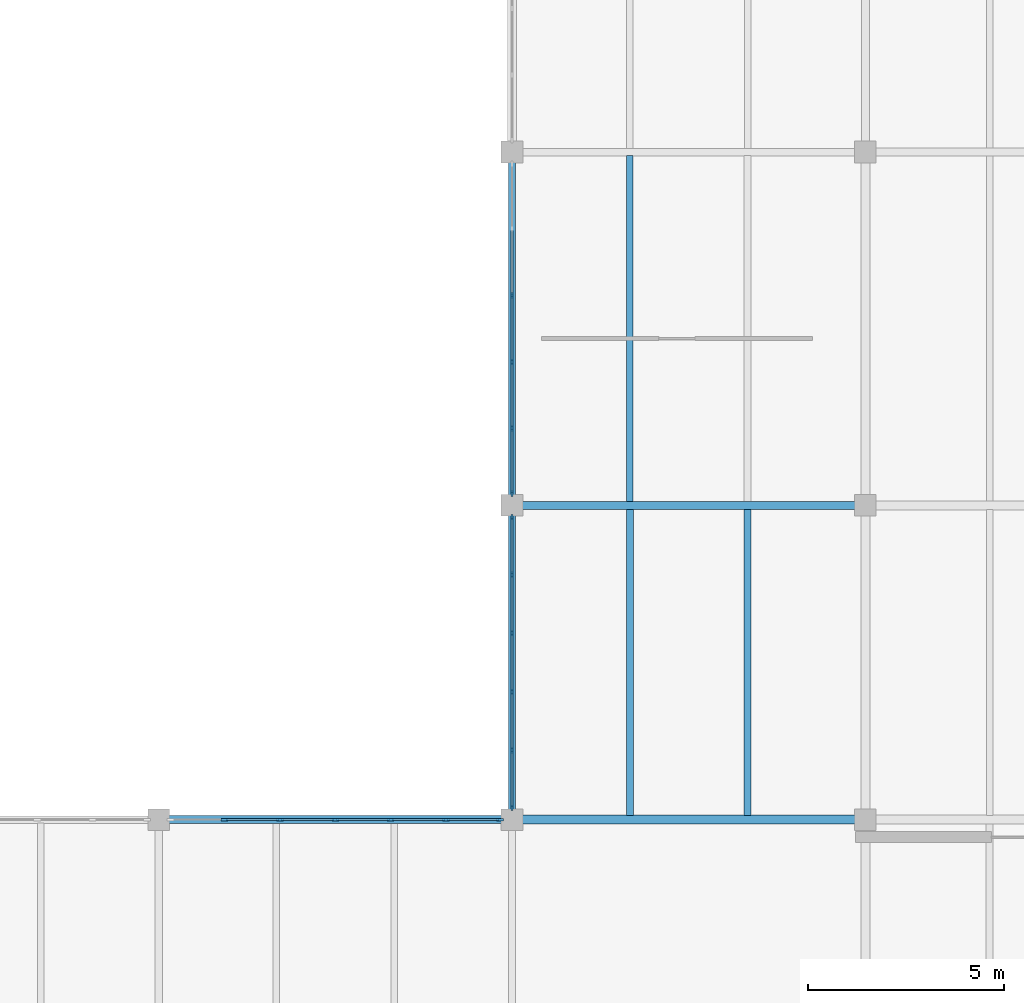
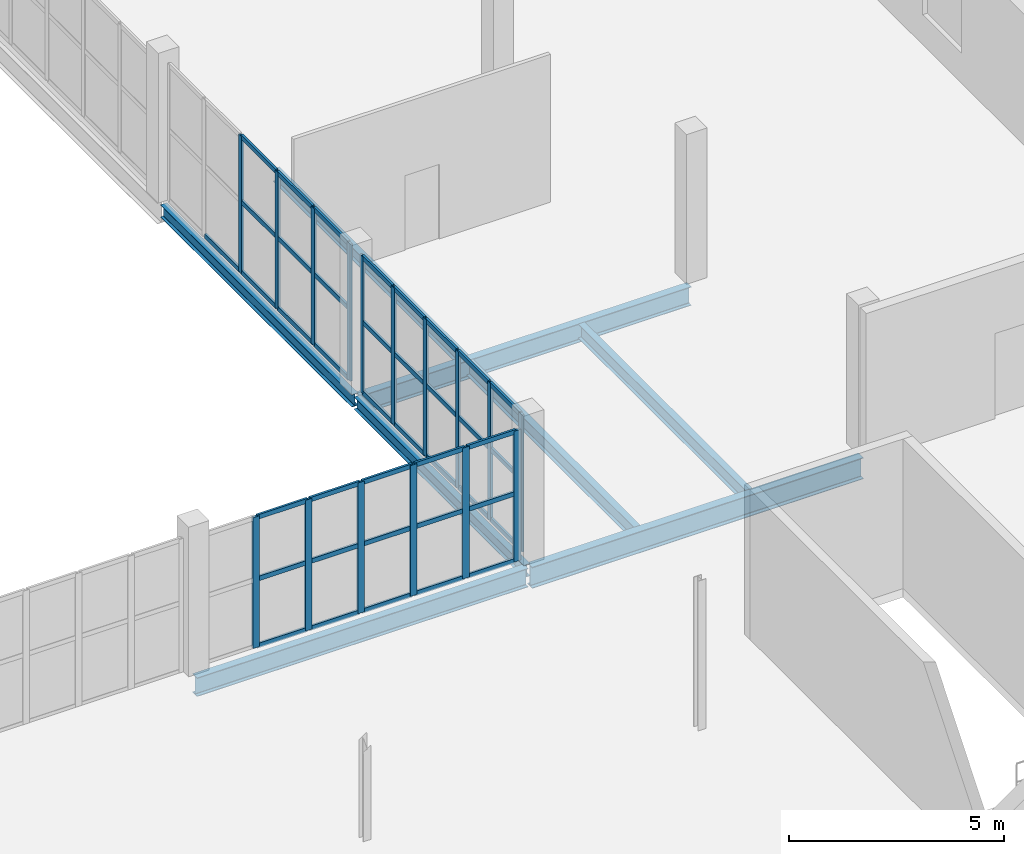
# One storey, part 28 of 54: 56 members, 8 beams, 3 elements without a shape of their own.
"""IFC4 building model written with IfcOpenShell, lengths in metres."""

from ifc_helpers import new_model, si_unit, direction, frame, origin, origin_2d, place, context, subcontext, project, spatial, rectangle, i_section, extrude, material, layer, layer_set, material_profile, profile_set, type_object, element, aggregate, save


model = new_model("IFC4")

# Units and contexts
model_context = context("Model", 3, precision=1e-05, world=origin(), true_north=direction((0.0, 1.0)))
body_context = subcontext(model_context, "Body", "Model", "MODEL_VIEW")
ifc_project = project(units=[si_unit("LENGTHUNIT", "METRE"), si_unit("AREAUNIT", "SQUARE_METRE"), si_unit("VOLUMEUNIT", "CUBIC_METRE"), si_unit("PLANEANGLEUNIT", "RADIAN"), si_unit("MASSUNIT", "GRAM", prefix="KILO")], contexts=[model_context])

# Site, building, storey
site_placement = place(None, origin())
site = spatial("IfcSite", under=ifc_project, at=site_placement, CompositionType="ELEMENT")
building_placement = place(site_placement, origin())
building = spatial("IfcBuilding", under=site, at=building_placement, Name="Marnock Terrace Opera House", CompositionType="ELEMENT")
storey_placement = place(building_placement, frame((0.0, 0.0, 19.199951171875)))
storey = spatial("IfcBuildingStorey", under=building, at=storey_placement, Name="L04", CompositionType="ELEMENT", Elevation=19.199951171875)

# Beams
ifc_material_1 = material(Name="Steel Grade 350 (AS/NZS 3679.1)", Category="steel")
ifc_material_profile_1 = material_profile(ifc_material_1, i_section(OverallWidth=0.1708984375, OverallDepth=0.355712890625, WebThickness=0.00732421875, FlangeThickness=0.011474609375, FilletRadius=0.011474609375, at=origin_2d()))
ifc_profile_set_1 = profile_set([ifc_material_profile_1], Name="Steel Grade 350 (AS/NZS 3679.1)")
beam_type_1 = type_object("IfcBeamType", Name="BM-GIRD-360", PredefinedType="BEAM", material=ifc_profile_set_1)
beam_1_placement = place(storey_placement, frame((136.0, 40.050048828125, -0.427734375), z_axis=(0.0, 1.0, 0.0), x_axis=(-1.0, 0.0, 0.0)))
element("IfcBeam", 1, at=beam_1_placement, inside=storey, type_object=beam_type_1, Name="L04 girder (X=136.0, 40.0..48.0)", PredefinedType="BEAM", context=body_context, shape_type="SweptSolid", body=[
    extrude(i_section(OverallWidth=0.1708984375, OverallDepth=0.355712890625, WebThickness=0.00732421875, FlangeThickness=0.011474609375, FilletRadius=0.011474609375, at=origin_2d()), origin(), (0.0, 0.0, 1.0), 7.89990234375),
])
beam_2_placement = place(storey_placement, frame((136.0, 48.050048828125, -0.427734375), z_axis=(0.0, 1.0, 0.0), x_axis=(-1.0, 0.0, 0.0)))
element("IfcBeam", 2, at=beam_2_placement, inside=storey, type_object=beam_type_1, Name="L04 girder (X=136.0, 48.0..57.0)", PredefinedType="BEAM", context=body_context, shape_type="SweptSolid", body=[
    extrude(i_section(OverallWidth=0.1708984375, OverallDepth=0.355712890625, WebThickness=0.00732421875, FlangeThickness=0.011474609375, FilletRadius=0.011474609375, at=origin_2d()), origin(), (0.0, 0.0, 1.0), 8.89990234375),
])
ifc_material_profile_2 = material_profile(ifc_material_1, i_section(OverallWidth=0.208984375, OverallDepth=0.532958984375, WebThickness=0.01025390625, FlangeThickness=0.015625, FilletRadius=0.013916015625, at=origin_2d()))
ifc_profile_set_2 = profile_set([ifc_material_profile_2], Name="Steel Grade 350 (AS/NZS 3679.1)")
beam_type_2 = type_object("IfcBeamType", Name="BM-GIRD-530A", PredefinedType="BEAM", material=ifc_profile_set_2)
for number, where, z_axis, x_axis, name in (
    (3, (127.050048828125, 40.0, -0.516357421875), (1.0, 0.0, 0.0), (0.0, 1.0, 0.0), "L04 girder (127.0..136.0, Y=40.0)"),
    (4, (136.050048828125, 48.0, -0.516357421875), (1.0, 0.0, 0.0), (0.0, 1.0, 0.0), "L04 girder (136.0..145.0, Y=48.0)"),
):
    element("IfcBeam", number, at=place(storey_placement, frame(where, z_axis=z_axis, x_axis=x_axis)), inside=storey, type_object=beam_type_2, Name=name, PredefinedType="BEAM", context=body_context, shape_type="SweptSolid", body=[
        extrude(i_section(OverallWidth=0.208984375, OverallDepth=0.532958984375, WebThickness=0.01025390625, FlangeThickness=0.015625, FilletRadius=0.013916015625, at=origin_2d()), origin(), (0.0, 0.0, 1.0), 8.89990234375),
    ])
ifc_material_profile_3 = material_profile(ifc_material_1, i_section(OverallWidth=0.22802734375, OverallDepth=0.60693359375, WebThickness=0.01123046875, FlangeThickness=0.017333984375, FilletRadius=0.013916015625, at=origin_2d()))
ifc_profile_set_3 = profile_set([ifc_material_profile_3], Name="Steel Grade 350 (AS/NZS 3679.1)")
beam_type_3 = type_object("IfcBeamType", Name="BM-GIRD-610B", PredefinedType="BEAM", material=ifc_profile_set_3)
beam_3_placement = place(storey_placement, frame((136.050048828125, 40.0, -0.553466796875), z_axis=(1.0, 0.0, 0.0), x_axis=(0.0, 1.0, 0.0)))
element("IfcBeam", 5, at=beam_3_placement, inside=storey, type_object=beam_type_3, Name="L04 girder (136.0..145.0, Y=40.0)", PredefinedType="BEAM", context=body_context, shape_type="SweptSolid", body=[
    extrude(i_section(OverallWidth=0.22802734375, OverallDepth=0.60693359375, WebThickness=0.01123046875, FlangeThickness=0.017333984375, FilletRadius=0.013916015625, at=origin_2d()), origin(), (0.0, 0.0, 1.0), 8.89990234375),
])
ifc_material_profile_4 = material_profile(ifc_material_1, i_section(OverallWidth=0.172119140625, OverallDepth=0.358642578125, WebThickness=0.008056640625, FlangeThickness=0.012939453125, FilletRadius=0.011474609375, at=origin_2d()))
ifc_profile_set_4 = profile_set([ifc_material_profile_4], Name="Steel Grade 350 (AS/NZS 3679.1)")
beam_type_4 = type_object("IfcBeamType", Name="BM-JOIST-360", PredefinedType="JOIST", material=ifc_profile_set_4)
beam_4_placement = place(storey_placement, frame((139.0, 48.099609375, -0.42919921875), z_axis=(0.0, 1.0, 0.0), x_axis=(-1.0, 0.0, 0.0)))
element("IfcBeam", 6, at=beam_4_placement, inside=storey, type_object=beam_type_4, Name="L04 secondary joist 15.6.1", PredefinedType="JOIST", context=body_context, shape_type="SweptSolid", body=[
    extrude(i_section(OverallWidth=0.172119140625, OverallDepth=0.358642578125, WebThickness=0.008056640625, FlangeThickness=0.012939453125, FilletRadius=0.011474609375, at=origin_2d()), origin(), (0.0, 0.0, 1.0), 8.809814453125),
])
ifc_material_profile_5 = material_profile(ifc_material_1, i_section(OverallWidth=0.177978515625, OverallDepth=0.406494140625, WebThickness=0.0078125, FlangeThickness=0.0126953125, FilletRadius=0.011474609375, at=origin_2d()))
ifc_profile_set_5 = profile_set([ifc_material_profile_5], Name="Steel Grade 350 (AS/NZS 3679.1)")
beam_type_5 = type_object("IfcBeamType", Name="BM-JOIST-410", PredefinedType="JOIST", material=ifc_profile_set_5)
for number, where, z_axis, x_axis, name in (
    (7, (139.0, 40.10888671875, -0.453125), (0.0, 1.0, 0.0), (-1.0, 0.0, 0.0), "L04 secondary joist 15.5.1"),
    (8, (142.0, 40.10888671875, -0.453125), (0.0, 1.0, 0.0), (-1.0, 0.0, 0.0), "L04 secondary joist 15.5.2"),
):
    element("IfcBeam", number, at=place(storey_placement, frame(where, z_axis=z_axis, x_axis=x_axis)), inside=storey, type_object=beam_type_5, Name=name, PredefinedType="JOIST", context=body_context, shape_type="SweptSolid", body=[
        extrude(i_section(OverallWidth=0.177978515625, OverallDepth=0.406494140625, WebThickness=0.0078125, FlangeThickness=0.0126953125, FilletRadius=0.011474609375, at=origin_2d()), origin(), (0.0, 0.0, 1.0), 7.79150390625),
    ])

# Curtain wall, members
ifc_material_2 = material(Name="Anodised architectural bronze aluminium framing", Category="aluminium")
ifc_layer = layer(ifc_material_2, 0.159912109375)
ifc_layer_set = layer_set([ifc_layer], Name="Anodised architectural bronze aluminium framing")
curtain_wall_type = type_object("IfcCurtainWallType", Name="CW-DRUM-71x39", PredefinedType="NOTDEFINED", material=ifc_layer_set)
curtain_wall_1_placement = place(storey_placement, origin())
curtain_wall_1 = element("IfcCurtainWall", 9, at=curtain_wall_1_placement, inside=storey, type_object=curtain_wall_type, Name="L04 glazed Beaux-Arts colonnade curtain wall CW-L04-V5C1", PredefinedType="NOTDEFINED")
ifc_material_profile_6 = material_profile(ifc_material_2, rectangle(XDim=0.06005859375, YDim=0.14990234375, at=origin_2d()))
ifc_profile_set_6 = profile_set([ifc_material_profile_6], Name="Anodised architectural bronze aluminium framing")
member_type_1 = type_object("IfcMemberType", Name="CWM-60x150", PredefinedType="MULLION", material=ifc_profile_set_6)
member_1_placement = place(storey_placement, frame((136.0, 40.301025390625, 0.0), z_axis=(0.0, 0.0, 1.0), x_axis=(-1.0, 0.0, 0.0)))
member_1 = element("IfcMember", 10, at=member_1_placement, type_object=member_type_1, Name="CW-76 mullion 1", PredefinedType="MULLION", context=body_context, shape_type="SweptSolid", body=[
    extrude(rectangle(XDim=0.06005859375, YDim=0.14990234375, at=origin_2d()), origin(), (0.0, 0.0, 1.0), 3.89453125),
])
member_2_placement = place(storey_placement, frame((136.0, 41.7626953125, 0.0), z_axis=(0.0, 0.0, 1.0), x_axis=(-1.0, 0.0, 0.0)))
member_2 = element("IfcMember", 11, at=member_2_placement, type_object=member_type_1, Name="CW-76 mullion 2", PredefinedType="MULLION", context=body_context, shape_type="SweptSolid", body=[
    extrude(rectangle(XDim=0.06005859375, YDim=0.14990234375, at=origin_2d()), origin(), (0.0, 0.0, 1.0), 3.89453125),
])
member_3_placement = place(storey_placement, frame((136.0, 43.254150390625, 0.0), z_axis=(0.0, 0.0, 1.0), x_axis=(-1.0, 0.0, 0.0)))
member_3 = element("IfcMember", 12, at=member_3_placement, type_object=member_type_1, Name="CW-76 mullion 3", PredefinedType="MULLION", context=body_context, shape_type="SweptSolid", body=[
    extrude(rectangle(XDim=0.06005859375, YDim=0.14990234375, at=origin_2d()), origin(), (0.0, 0.0, 1.0), 3.89453125),
])
member_4_placement = place(storey_placement, frame((136.0, 44.745849609375, 0.0), z_axis=(0.0, 0.0, 1.0), x_axis=(-1.0, 0.0, 0.0)))
member_4 = element("IfcMember", 13, at=member_4_placement, type_object=member_type_1, Name="CW-76 mullion 4", PredefinedType="MULLION", context=body_context, shape_type="SweptSolid", body=[
    extrude(rectangle(XDim=0.06005859375, YDim=0.14990234375, at=origin_2d()), origin(), (0.0, 0.0, 1.0), 3.89453125),
])
member_5_placement = place(storey_placement, frame((136.0, 46.2373046875, 0.0), z_axis=(0.0, 0.0, 1.0), x_axis=(-1.0, 0.0, 0.0)))
member_5 = element("IfcMember", 14, at=member_5_placement, type_object=member_type_1, Name="CW-76 mullion 5", PredefinedType="MULLION", context=body_context, shape_type="SweptSolid", body=[
    extrude(rectangle(XDim=0.06005859375, YDim=0.14990234375, at=origin_2d()), origin(), (0.0, 0.0, 1.0), 3.89453125),
])
member_6_placement = place(storey_placement, frame((136.0, 47.698974609375, 0.0), z_axis=(0.0, 0.0, 1.0), x_axis=(-1.0, 0.0, 0.0)))
member_6 = element("IfcMember", 15, at=member_6_placement, type_object=member_type_1, Name="CW-76 mullion 6", PredefinedType="MULLION", context=body_context, shape_type="SweptSolid", body=[
    extrude(rectangle(XDim=0.06005859375, YDim=0.14990234375, at=origin_2d()), origin(), (0.0, 0.0, 1.0), 3.89453125),
])

curtain_wall_2_placement = place(storey_placement, origin())
curtain_wall_2 = element("IfcCurtainWall", 16, at=curtain_wall_2_placement, inside=storey, type_object=curtain_wall_type, Name="L04 glazed Beaux-Arts colonnade curtain wall CW-L04-V5C2", PredefinedType="NOTDEFINED")
member_7_placement = place(storey_placement, frame((136.0, 48.301025390625, 0.0), z_axis=(0.0, 0.0, 1.0), x_axis=(-1.0, 0.0, 0.0)))
member_7 = element("IfcMember", 17, at=member_7_placement, type_object=member_type_1, Name="CW-76 mullion 1", PredefinedType="MULLION", context=body_context, shape_type="SweptSolid", body=[
    extrude(rectangle(XDim=0.06005859375, YDim=0.14990234375, at=origin_2d()), origin(), (0.0, 0.0, 1.0), 3.89453125),
])
member_8_placement = place(storey_placement, frame((136.0, 49.962646484375, 0.0), z_axis=(0.0, 0.0, 1.0), x_axis=(-1.0, 0.0, 0.0)))
member_8 = element("IfcMember", 18, at=member_8_placement, type_object=member_type_1, Name="CW-76 mullion 2", PredefinedType="MULLION", context=body_context, shape_type="SweptSolid", body=[
    extrude(rectangle(XDim=0.06005859375, YDim=0.14990234375, at=origin_2d()), origin(), (0.0, 0.0, 1.0), 3.89453125),
])
member_9_placement = place(storey_placement, frame((136.0, 51.654296875, 0.0), z_axis=(0.0, 0.0, 1.0), x_axis=(-1.0, 0.0, 0.0)))
member_9 = element("IfcMember", 19, at=member_9_placement, type_object=member_type_1, Name="CW-76 mullion 3", PredefinedType="MULLION", context=body_context, shape_type="SweptSolid", body=[
    extrude(rectangle(XDim=0.06005859375, YDim=0.14990234375, at=origin_2d()), origin(), (0.0, 0.0, 1.0), 3.89453125),
])
member_10_placement = place(storey_placement, frame((136.0, 53.345703125, 0.0), z_axis=(0.0, 0.0, 1.0), x_axis=(-1.0, 0.0, 0.0)))
member_10 = element("IfcMember", 20, at=member_10_placement, type_object=member_type_1, Name="CW-76 mullion 4", PredefinedType="MULLION", context=body_context, shape_type="SweptSolid", body=[
    extrude(rectangle(XDim=0.06005859375, YDim=0.14990234375, at=origin_2d()), origin(), (0.0, 0.0, 1.0), 3.89453125),
])

curtain_wall_3_placement = place(storey_placement, origin())
curtain_wall_3 = element("IfcCurtainWall", 21, at=curtain_wall_3_placement, inside=storey, type_object=curtain_wall_type, Name="L04 glazed Beaux-Arts colonnade curtain wall CW-L04-V5CS2", PredefinedType="NOTDEFINED")
ifc_material_profile_7 = material_profile(ifc_material_2, rectangle(XDim=0.06494140625, YDim=0.179931640625, at=origin_2d()))
ifc_profile_set_7 = profile_set([ifc_material_profile_7], Name="Anodised architectural bronze aluminium framing")
member_type_2 = type_object("IfcMemberType", Name="CWM-65x180", PredefinedType="MULLION", material=ifc_profile_set_7)
member_11_placement = place(storey_placement, frame((128.6806640625, 40.0, 0.0), z_axis=(0.0, 0.0, 1.0), x_axis=(0.0, 1.0, 0.0)))
member_11 = element("IfcMember", 22, at=member_11_placement, type_object=member_type_2, Name="CW-76 mullion 2", PredefinedType="MULLION", context=body_context, shape_type="SweptSolid", body=[
    extrude(rectangle(XDim=0.06494140625, YDim=0.179931640625, at=origin_2d()), origin(), (0.0, 0.0, 1.0), 3.717041015625),
])
member_12_placement = place(storey_placement, frame((130.09033203125, 40.0, 0.0), z_axis=(0.0, 0.0, 1.0), x_axis=(0.0, 1.0, 0.0)))
member_12 = element("IfcMember", 23, at=member_12_placement, type_object=member_type_2, Name="CW-76 mullion 3", PredefinedType="MULLION", context=body_context, shape_type="SweptSolid", body=[
    extrude(rectangle(XDim=0.06494140625, YDim=0.179931640625, at=origin_2d()), origin(), (0.0, 0.0, 1.0), 3.717041015625),
])
member_13_placement = place(storey_placement, frame((131.5, 40.0, 0.0), z_axis=(0.0, 0.0, 1.0), x_axis=(0.0, 1.0, 0.0)))
member_13 = element("IfcMember", 24, at=member_13_placement, type_object=member_type_2, Name="CW-76 mullion 4", PredefinedType="MULLION", context=body_context, shape_type="SweptSolid", body=[
    extrude(rectangle(XDim=0.06494140625, YDim=0.179931640625, at=origin_2d()), origin(), (0.0, 0.0, 1.0), 3.717041015625),
])
member_14_placement = place(storey_placement, frame((132.90966796875, 40.0, 0.0), z_axis=(0.0, 0.0, 1.0), x_axis=(0.0, 1.0, 0.0)))
member_14 = element("IfcMember", 25, at=member_14_placement, type_object=member_type_2, Name="CW-76 mullion 5", PredefinedType="MULLION", context=body_context, shape_type="SweptSolid", body=[
    extrude(rectangle(XDim=0.06494140625, YDim=0.179931640625, at=origin_2d()), origin(), (0.0, 0.0, 1.0), 3.717041015625),
])
member_15_placement = place(storey_placement, frame((134.3193359375, 40.0, 0.0), z_axis=(0.0, 0.0, 1.0), x_axis=(0.0, 1.0, 0.0)))
member_15 = element("IfcMember", 26, at=member_15_placement, type_object=member_type_2, Name="CW-76 mullion 6", PredefinedType="MULLION", context=body_context, shape_type="SweptSolid", body=[
    extrude(rectangle(XDim=0.06494140625, YDim=0.179931640625, at=origin_2d()), origin(), (0.0, 0.0, 1.0), 3.717041015625),
])
member_16_placement = place(storey_placement, frame((135.698974609375, 40.0, 0.0), z_axis=(0.0, 0.0, 1.0), x_axis=(0.0, 1.0, 0.0)))
member_16 = element("IfcMember", 27, at=member_16_placement, type_object=member_type_2, Name="CW-76 mullion 7", PredefinedType="MULLION", context=body_context, shape_type="SweptSolid", body=[
    extrude(rectangle(XDim=0.06494140625, YDim=0.179931640625, at=origin_2d()), origin(), (0.0, 0.0, 1.0), 3.717041015625),
])

# Member
ifc_material_profile_8 = material_profile(ifc_material_2, rectangle(XDim=0.06005859375, YDim=0.1298828125, at=origin_2d()))
ifc_profile_set_8 = profile_set([ifc_material_profile_8], Name="Anodised architectural bronze aluminium framing")
member_type_3 = type_object("IfcMemberType", Name="CWT-60x130", PredefinedType="USERDEFINED", material=ifc_profile_set_8)
member_17_placement = place(storey_placement, frame((136.0, 40.3310546875, 0.030029296875), z_axis=(0.0, 1.0, 0.0), x_axis=(-1.0, 0.0, 0.0)))
member_17 = element("IfcMember", 28, at=member_17_placement, type_object=member_type_3, Name="CW-76 transom 1.1", ObjectType="TRANSOM", PredefinedType="USERDEFINED", context=body_context, shape_type="SweptSolid", body=[
    extrude(rectangle(XDim=0.06005859375, YDim=0.1298828125, at=origin_2d()), origin(), (0.0, 0.0, 1.0), 1.401611328125),
])

member_18_placement = place(storey_placement, frame((136.0, 40.3310546875, 2.025146484375), z_axis=(0.0, 1.0, 0.0), x_axis=(-1.0, 0.0, 0.0)))
member_18 = element("IfcMember", 29, at=member_18_placement, type_object=member_type_3, Name="CW-76 transom 1.2", ObjectType="TRANSOM", PredefinedType="USERDEFINED", context=body_context, shape_type="SweptSolid", body=[
    extrude(rectangle(XDim=0.06005859375, YDim=0.1298828125, at=origin_2d()), origin(), (0.0, 0.0, 1.0), 1.401611328125),
])

member_19_placement = place(storey_placement, frame((136.0, 40.3310546875, 3.864501953125), z_axis=(0.0, 1.0, 0.0), x_axis=(-1.0, 0.0, 0.0)))
member_19 = element("IfcMember", 30, at=member_19_placement, type_object=member_type_3, Name="CW-76 transom 1.3", ObjectType="TRANSOM", PredefinedType="USERDEFINED", context=body_context, shape_type="SweptSolid", body=[
    extrude(rectangle(XDim=0.06005859375, YDim=0.1298828125, at=origin_2d()), origin(), (0.0, 0.0, 1.0), 1.401611328125),
])

member_20_placement = place(storey_placement, frame((136.0, 41.79248046875, 0.030029296875), z_axis=(0.0, 1.0, 0.0), x_axis=(-1.0, 0.0, 0.0)))
member_20 = element("IfcMember", 31, at=member_20_placement, type_object=member_type_3, Name="CW-76 transom 2.1", ObjectType="TRANSOM", PredefinedType="USERDEFINED", context=body_context, shape_type="SweptSolid", body=[
    extrude(rectangle(XDim=0.06005859375, YDim=0.1298828125, at=origin_2d()), origin(), (0.0, 0.0, 1.0), 1.431640625),
])

member_21_placement = place(storey_placement, frame((136.0, 41.79248046875, 2.025146484375), z_axis=(0.0, 1.0, 0.0), x_axis=(-1.0, 0.0, 0.0)))
member_21 = element("IfcMember", 32, at=member_21_placement, type_object=member_type_3, Name="CW-76 transom 2.2", ObjectType="TRANSOM", PredefinedType="USERDEFINED", context=body_context, shape_type="SweptSolid", body=[
    extrude(rectangle(XDim=0.06005859375, YDim=0.1298828125, at=origin_2d()), origin(), (0.0, 0.0, 1.0), 1.431640625),
])

member_22_placement = place(storey_placement, frame((136.0, 41.79248046875, 3.864501953125), z_axis=(0.0, 1.0, 0.0), x_axis=(-1.0, 0.0, 0.0)))
member_22 = element("IfcMember", 33, at=member_22_placement, type_object=member_type_3, Name="CW-76 transom 2.3", ObjectType="TRANSOM", PredefinedType="USERDEFINED", context=body_context, shape_type="SweptSolid", body=[
    extrude(rectangle(XDim=0.06005859375, YDim=0.1298828125, at=origin_2d()), origin(), (0.0, 0.0, 1.0), 1.431640625),
])

member_23_placement = place(storey_placement, frame((136.0, 43.2841796875, 0.030029296875), z_axis=(0.0, 1.0, 0.0), x_axis=(-1.0, 0.0, 0.0)))
member_23 = element("IfcMember", 34, at=member_23_placement, type_object=member_type_3, Name="CW-76 transom 3.1", ObjectType="TRANSOM", PredefinedType="USERDEFINED", context=body_context, shape_type="SweptSolid", body=[
    extrude(rectangle(XDim=0.06005859375, YDim=0.1298828125, at=origin_2d()), origin(), (0.0, 0.0, 1.0), 1.431640625),
])

member_24_placement = place(storey_placement, frame((136.0, 43.2841796875, 2.025146484375), z_axis=(0.0, 1.0, 0.0), x_axis=(-1.0, 0.0, 0.0)))
member_24 = element("IfcMember", 35, at=member_24_placement, type_object=member_type_3, Name="CW-76 transom 3.2", ObjectType="TRANSOM", PredefinedType="USERDEFINED", context=body_context, shape_type="SweptSolid", body=[
    extrude(rectangle(XDim=0.06005859375, YDim=0.1298828125, at=origin_2d()), origin(), (0.0, 0.0, 1.0), 1.431640625),
])

member_25_placement = place(storey_placement, frame((136.0, 43.2841796875, 3.864501953125), z_axis=(0.0, 1.0, 0.0), x_axis=(-1.0, 0.0, 0.0)))
member_25 = element("IfcMember", 36, at=member_25_placement, type_object=member_type_3, Name="CW-76 transom 3.3", ObjectType="TRANSOM", PredefinedType="USERDEFINED", context=body_context, shape_type="SweptSolid", body=[
    extrude(rectangle(XDim=0.06005859375, YDim=0.1298828125, at=origin_2d()), origin(), (0.0, 0.0, 1.0), 1.431640625),
])

member_26_placement = place(storey_placement, frame((136.0, 44.77587890625, 0.030029296875), z_axis=(0.0, 1.0, 0.0), x_axis=(-1.0, 0.0, 0.0)))
member_26 = element("IfcMember", 37, at=member_26_placement, type_object=member_type_3, Name="CW-76 transom 4.1", ObjectType="TRANSOM", PredefinedType="USERDEFINED", context=body_context, shape_type="SweptSolid", body=[
    extrude(rectangle(XDim=0.06005859375, YDim=0.1298828125, at=origin_2d()), origin(), (0.0, 0.0, 1.0), 1.431640625),
])

member_27_placement = place(storey_placement, frame((136.0, 44.77587890625, 2.025146484375), z_axis=(0.0, 1.0, 0.0), x_axis=(-1.0, 0.0, 0.0)))
member_27 = element("IfcMember", 38, at=member_27_placement, type_object=member_type_3, Name="CW-76 transom 4.2", ObjectType="TRANSOM", PredefinedType="USERDEFINED", context=body_context, shape_type="SweptSolid", body=[
    extrude(rectangle(XDim=0.06005859375, YDim=0.1298828125, at=origin_2d()), origin(), (0.0, 0.0, 1.0), 1.431640625),
])

member_28_placement = place(storey_placement, frame((136.0, 44.77587890625, 3.864501953125), z_axis=(0.0, 1.0, 0.0), x_axis=(-1.0, 0.0, 0.0)))
member_28 = element("IfcMember", 39, at=member_28_placement, type_object=member_type_3, Name="CW-76 transom 4.3", ObjectType="TRANSOM", PredefinedType="USERDEFINED", context=body_context, shape_type="SweptSolid", body=[
    extrude(rectangle(XDim=0.06005859375, YDim=0.1298828125, at=origin_2d()), origin(), (0.0, 0.0, 1.0), 1.431640625),
])

member_29_placement = place(storey_placement, frame((136.0, 46.267333984375, 0.030029296875), z_axis=(0.0, 1.0, 0.0), x_axis=(-1.0, 0.0, 0.0)))
member_29 = element("IfcMember", 40, at=member_29_placement, type_object=member_type_3, Name="CW-76 transom 5.1", ObjectType="TRANSOM", PredefinedType="USERDEFINED", context=body_context, shape_type="SweptSolid", body=[
    extrude(rectangle(XDim=0.06005859375, YDim=0.1298828125, at=origin_2d()), origin(), (0.0, 0.0, 1.0), 1.401611328125),
])

member_30_placement = place(storey_placement, frame((136.0, 46.267333984375, 2.025146484375), z_axis=(0.0, 1.0, 0.0), x_axis=(-1.0, 0.0, 0.0)))
member_30 = element("IfcMember", 41, at=member_30_placement, type_object=member_type_3, Name="CW-76 transom 5.2", ObjectType="TRANSOM", PredefinedType="USERDEFINED", context=body_context, shape_type="SweptSolid", body=[
    extrude(rectangle(XDim=0.06005859375, YDim=0.1298828125, at=origin_2d()), origin(), (0.0, 0.0, 1.0), 1.401611328125),
])

member_31_placement = place(storey_placement, frame((136.0, 46.267333984375, 3.864501953125), z_axis=(0.0, 1.0, 0.0), x_axis=(-1.0, 0.0, 0.0)))
member_31 = element("IfcMember", 42, at=member_31_placement, type_object=member_type_3, Name="CW-76 transom 5.3", ObjectType="TRANSOM", PredefinedType="USERDEFINED", context=body_context, shape_type="SweptSolid", body=[
    extrude(rectangle(XDim=0.06005859375, YDim=0.1298828125, at=origin_2d()), origin(), (0.0, 0.0, 1.0), 1.401611328125),
])

aggregate(curtain_wall_1, [member_1, member_2, member_3, member_4, member_5, member_6, member_17, member_18, member_19, member_20, member_21, member_22, member_23, member_24, member_25, member_26, member_27, member_28, member_29, member_30, member_31])

member_32_placement = place(storey_placement, frame((136.0, 48.3310546875, 0.030029296875), z_axis=(0.0, 1.0, 0.0), x_axis=(-1.0, 0.0, 0.0)))
member_32 = element("IfcMember", 43, at=member_32_placement, type_object=member_type_3, Name="CW-76 transom 1.1", ObjectType="TRANSOM", PredefinedType="USERDEFINED", context=body_context, shape_type="SweptSolid", body=[
    extrude(rectangle(XDim=0.06005859375, YDim=0.1298828125, at=origin_2d()), origin(), (0.0, 0.0, 1.0), 1.6015625),
])

member_33_placement = place(storey_placement, frame((136.0, 48.3310546875, 2.025146484375), z_axis=(0.0, 1.0, 0.0), x_axis=(-1.0, 0.0, 0.0)))
member_33 = element("IfcMember", 44, at=member_33_placement, type_object=member_type_3, Name="CW-76 transom 1.2", ObjectType="TRANSOM", PredefinedType="USERDEFINED", context=body_context, shape_type="SweptSolid", body=[
    extrude(rectangle(XDim=0.06005859375, YDim=0.1298828125, at=origin_2d()), origin(), (0.0, 0.0, 1.0), 1.6015625),
])

member_34_placement = place(storey_placement, frame((136.0, 48.3310546875, 3.864501953125), z_axis=(0.0, 1.0, 0.0), x_axis=(-1.0, 0.0, 0.0)))
member_34 = element("IfcMember", 45, at=member_34_placement, type_object=member_type_3, Name="CW-76 transom 1.3", ObjectType="TRANSOM", PredefinedType="USERDEFINED", context=body_context, shape_type="SweptSolid", body=[
    extrude(rectangle(XDim=0.06005859375, YDim=0.1298828125, at=origin_2d()), origin(), (0.0, 0.0, 1.0), 1.6015625),
])

member_35_placement = place(storey_placement, frame((136.0, 49.99267578125, 0.030029296875), z_axis=(0.0, 1.0, 0.0), x_axis=(-1.0, 0.0, 0.0)))
member_35 = element("IfcMember", 46, at=member_35_placement, type_object=member_type_3, Name="CW-76 transom 2.1", ObjectType="TRANSOM", PredefinedType="USERDEFINED", context=body_context, shape_type="SweptSolid", body=[
    extrude(rectangle(XDim=0.06005859375, YDim=0.1298828125, at=origin_2d()), origin(), (0.0, 0.0, 1.0), 1.631591796875),
])

member_36_placement = place(storey_placement, frame((136.0, 49.99267578125, 2.025146484375), z_axis=(0.0, 1.0, 0.0), x_axis=(-1.0, 0.0, 0.0)))
member_36 = element("IfcMember", 47, at=member_36_placement, type_object=member_type_3, Name="CW-76 transom 2.2", ObjectType="TRANSOM", PredefinedType="USERDEFINED", context=body_context, shape_type="SweptSolid", body=[
    extrude(rectangle(XDim=0.06005859375, YDim=0.1298828125, at=origin_2d()), origin(), (0.0, 0.0, 1.0), 1.631591796875),
])

member_37_placement = place(storey_placement, frame((136.0, 49.99267578125, 3.864501953125), z_axis=(0.0, 1.0, 0.0), x_axis=(-1.0, 0.0, 0.0)))
member_37 = element("IfcMember", 48, at=member_37_placement, type_object=member_type_3, Name="CW-76 transom 2.3", ObjectType="TRANSOM", PredefinedType="USERDEFINED", context=body_context, shape_type="SweptSolid", body=[
    extrude(rectangle(XDim=0.06005859375, YDim=0.1298828125, at=origin_2d()), origin(), (0.0, 0.0, 1.0), 1.631591796875),
])

member_38_placement = place(storey_placement, frame((136.0, 51.68408203125, 0.030029296875), z_axis=(0.0, 1.0, 0.0), x_axis=(-1.0, 0.0, 0.0)))
member_38 = element("IfcMember", 49, at=member_38_placement, type_object=member_type_3, Name="CW-76 transom 3.1", ObjectType="TRANSOM", PredefinedType="USERDEFINED", context=body_context, shape_type="SweptSolid", body=[
    extrude(rectangle(XDim=0.06005859375, YDim=0.1298828125, at=origin_2d()), origin(), (0.0, 0.0, 1.0), 1.6318359375),
])

member_39_placement = place(storey_placement, frame((136.0, 51.68408203125, 2.025146484375), z_axis=(0.0, 1.0, 0.0), x_axis=(-1.0, 0.0, 0.0)))
member_39 = element("IfcMember", 50, at=member_39_placement, type_object=member_type_3, Name="CW-76 transom 3.2", ObjectType="TRANSOM", PredefinedType="USERDEFINED", context=body_context, shape_type="SweptSolid", body=[
    extrude(rectangle(XDim=0.06005859375, YDim=0.1298828125, at=origin_2d()), origin(), (0.0, 0.0, 1.0), 1.6318359375),
])

member_40_placement = place(storey_placement, frame((136.0, 51.68408203125, 3.864501953125), z_axis=(0.0, 1.0, 0.0), x_axis=(-1.0, 0.0, 0.0)))
member_40 = element("IfcMember", 51, at=member_40_placement, type_object=member_type_3, Name="CW-76 transom 3.3", ObjectType="TRANSOM", PredefinedType="USERDEFINED", context=body_context, shape_type="SweptSolid", body=[
    extrude(rectangle(XDim=0.06005859375, YDim=0.1298828125, at=origin_2d()), origin(), (0.0, 0.0, 1.0), 1.6318359375),
])

member_41_placement = place(storey_placement, frame((136.0, 53.375732421875, 0.030029296875), z_axis=(0.0, 1.0, 0.0), x_axis=(-1.0, 0.0, 0.0)))
member_41 = element("IfcMember", 52, at=member_41_placement, type_object=member_type_3, Name="CW-76 transom 4.1", ObjectType="TRANSOM", PredefinedType="USERDEFINED", context=body_context, shape_type="SweptSolid", body=[
    extrude(rectangle(XDim=0.06005859375, YDim=0.1298828125, at=origin_2d()), origin(), (0.0, 0.0, 1.0), 1.631591796875),
])

aggregate(curtain_wall_2, [member_7, member_8, member_9, member_10, member_32, member_33, member_34, member_35, member_36, member_37, member_38, member_39, member_40, member_41])

member_42_placement = place(storey_placement, frame((128.710693359375, 40.0, 0.030029296875), z_axis=(1.0, 0.0, 0.0), x_axis=(0.0, 1.0, 0.0)))
member_42 = element("IfcMember", 53, at=member_42_placement, type_object=member_type_3, Name="CW-76 transom 2.1", ObjectType="TRANSOM", PredefinedType="USERDEFINED", context=body_context, shape_type="SweptSolid", body=[
    extrude(rectangle(XDim=0.06005859375, YDim=0.1298828125, at=origin_2d()), origin(), (0.0, 0.0, 1.0), 1.349609375),
])

member_43_placement = place(storey_placement, frame((128.710693359375, 40.0, 1.932861328125), z_axis=(1.0, 0.0, 0.0), x_axis=(0.0, 1.0, 0.0)))
member_43 = element("IfcMember", 54, at=member_43_placement, type_object=member_type_3, Name="CW-76 transom 2.2", ObjectType="TRANSOM", PredefinedType="USERDEFINED", context=body_context, shape_type="SweptSolid", body=[
    extrude(rectangle(XDim=0.06005859375, YDim=0.1298828125, at=origin_2d()), origin(), (0.0, 0.0, 1.0), 1.349609375),
])

member_44_placement = place(storey_placement, frame((128.710693359375, 40.0, 3.68701171875), z_axis=(1.0, 0.0, 0.0), x_axis=(0.0, 1.0, 0.0)))
member_44 = element("IfcMember", 55, at=member_44_placement, type_object=member_type_3, Name="CW-76 transom 2.3", ObjectType="TRANSOM", PredefinedType="USERDEFINED", context=body_context, shape_type="SweptSolid", body=[
    extrude(rectangle(XDim=0.06005859375, YDim=0.1298828125, at=origin_2d()), origin(), (0.0, 0.0, 1.0), 1.349609375),
])

member_45_placement = place(storey_placement, frame((130.120361328125, 40.0, 0.030029296875), z_axis=(1.0, 0.0, 0.0), x_axis=(0.0, 1.0, 0.0)))
member_45 = element("IfcMember", 56, at=member_45_placement, type_object=member_type_3, Name="CW-76 transom 3.1", ObjectType="TRANSOM", PredefinedType="USERDEFINED", context=body_context, shape_type="SweptSolid", body=[
    extrude(rectangle(XDim=0.06005859375, YDim=0.1298828125, at=origin_2d()), origin(), (0.0, 0.0, 1.0), 1.349609375),
])

member_46_placement = place(storey_placement, frame((130.120361328125, 40.0, 1.932861328125), z_axis=(1.0, 0.0, 0.0), x_axis=(0.0, 1.0, 0.0)))
member_46 = element("IfcMember", 57, at=member_46_placement, type_object=member_type_3, Name="CW-76 transom 3.2", ObjectType="TRANSOM", PredefinedType="USERDEFINED", context=body_context, shape_type="SweptSolid", body=[
    extrude(rectangle(XDim=0.06005859375, YDim=0.1298828125, at=origin_2d()), origin(), (0.0, 0.0, 1.0), 1.349609375),
])

member_47_placement = place(storey_placement, frame((130.120361328125, 40.0, 3.68701171875), z_axis=(1.0, 0.0, 0.0), x_axis=(0.0, 1.0, 0.0)))
member_47 = element("IfcMember", 58, at=member_47_placement, type_object=member_type_3, Name="CW-76 transom 3.3", ObjectType="TRANSOM", PredefinedType="USERDEFINED", context=body_context, shape_type="SweptSolid", body=[
    extrude(rectangle(XDim=0.06005859375, YDim=0.1298828125, at=origin_2d()), origin(), (0.0, 0.0, 1.0), 1.349609375),
])

member_48_placement = place(storey_placement, frame((131.530029296875, 40.0, 0.030029296875), z_axis=(1.0, 0.0, 0.0), x_axis=(0.0, 1.0, 0.0)))
member_48 = element("IfcMember", 59, at=member_48_placement, type_object=member_type_3, Name="CW-76 transom 4.1", ObjectType="TRANSOM", PredefinedType="USERDEFINED", context=body_context, shape_type="SweptSolid", body=[
    extrude(rectangle(XDim=0.06005859375, YDim=0.1298828125, at=origin_2d()), origin(), (0.0, 0.0, 1.0), 1.349609375),
])

member_49_placement = place(storey_placement, frame((131.530029296875, 40.0, 1.932861328125), z_axis=(1.0, 0.0, 0.0), x_axis=(0.0, 1.0, 0.0)))
member_49 = element("IfcMember", 60, at=member_49_placement, type_object=member_type_3, Name="CW-76 transom 4.2", ObjectType="TRANSOM", PredefinedType="USERDEFINED", context=body_context, shape_type="SweptSolid", body=[
    extrude(rectangle(XDim=0.06005859375, YDim=0.1298828125, at=origin_2d()), origin(), (0.0, 0.0, 1.0), 1.349609375),
])

member_50_placement = place(storey_placement, frame((131.530029296875, 40.0, 3.68701171875), z_axis=(1.0, 0.0, 0.0), x_axis=(0.0, 1.0, 0.0)))
member_50 = element("IfcMember", 61, at=member_50_placement, type_object=member_type_3, Name="CW-76 transom 4.3", ObjectType="TRANSOM", PredefinedType="USERDEFINED", context=body_context, shape_type="SweptSolid", body=[
    extrude(rectangle(XDim=0.06005859375, YDim=0.1298828125, at=origin_2d()), origin(), (0.0, 0.0, 1.0), 1.349609375),
])

member_51_placement = place(storey_placement, frame((132.939697265625, 40.0, 0.030029296875), z_axis=(1.0, 0.0, 0.0), x_axis=(0.0, 1.0, 0.0)))
member_51 = element("IfcMember", 62, at=member_51_placement, type_object=member_type_3, Name="CW-76 transom 5.1", ObjectType="TRANSOM", PredefinedType="USERDEFINED", context=body_context, shape_type="SweptSolid", body=[
    extrude(rectangle(XDim=0.06005859375, YDim=0.1298828125, at=origin_2d()), origin(), (0.0, 0.0, 1.0), 1.349609375),
])

member_52_placement = place(storey_placement, frame((132.939697265625, 40.0, 1.932861328125), z_axis=(1.0, 0.0, 0.0), x_axis=(0.0, 1.0, 0.0)))
member_52 = element("IfcMember", 63, at=member_52_placement, type_object=member_type_3, Name="CW-76 transom 5.2", ObjectType="TRANSOM", PredefinedType="USERDEFINED", context=body_context, shape_type="SweptSolid", body=[
    extrude(rectangle(XDim=0.06005859375, YDim=0.1298828125, at=origin_2d()), origin(), (0.0, 0.0, 1.0), 1.349609375),
])

member_53_placement = place(storey_placement, frame((132.939697265625, 40.0, 3.68701171875), z_axis=(1.0, 0.0, 0.0), x_axis=(0.0, 1.0, 0.0)))
member_53 = element("IfcMember", 64, at=member_53_placement, type_object=member_type_3, Name="CW-76 transom 5.3", ObjectType="TRANSOM", PredefinedType="USERDEFINED", context=body_context, shape_type="SweptSolid", body=[
    extrude(rectangle(XDim=0.06005859375, YDim=0.1298828125, at=origin_2d()), origin(), (0.0, 0.0, 1.0), 1.349609375),
])

member_54_placement = place(storey_placement, frame((134.349365234375, 40.0, 0.030029296875), z_axis=(1.0, 0.0, 0.0), x_axis=(0.0, 1.0, 0.0)))
member_54 = element("IfcMember", 65, at=member_54_placement, type_object=member_type_3, Name="CW-76 transom 6.1", ObjectType="TRANSOM", PredefinedType="USERDEFINED", context=body_context, shape_type="SweptSolid", body=[
    extrude(rectangle(XDim=0.06005859375, YDim=0.1298828125, at=origin_2d()), origin(), (0.0, 0.0, 1.0), 1.319580078125),
])

member_55_placement = place(storey_placement, frame((134.349365234375, 40.0, 1.932861328125), z_axis=(1.0, 0.0, 0.0), x_axis=(0.0, 1.0, 0.0)))
member_55 = element("IfcMember", 66, at=member_55_placement, type_object=member_type_3, Name="CW-76 transom 6.2", ObjectType="TRANSOM", PredefinedType="USERDEFINED", context=body_context, shape_type="SweptSolid", body=[
    extrude(rectangle(XDim=0.06005859375, YDim=0.1298828125, at=origin_2d()), origin(), (0.0, 0.0, 1.0), 1.319580078125),
])

member_56_placement = place(storey_placement, frame((134.349365234375, 40.0, 3.68701171875), z_axis=(1.0, 0.0, 0.0), x_axis=(0.0, 1.0, 0.0)))
member_56 = element("IfcMember", 67, at=member_56_placement, type_object=member_type_3, Name="CW-76 transom 6.3", ObjectType="TRANSOM", PredefinedType="USERDEFINED", context=body_context, shape_type="SweptSolid", body=[
    extrude(rectangle(XDim=0.06005859375, YDim=0.1298828125, at=origin_2d()), origin(), (0.0, 0.0, 1.0), 1.319580078125),
])

aggregate(curtain_wall_3, [member_11, member_12, member_13, member_14, member_15, member_16, member_42, member_43, member_44, member_45, member_46, member_47, member_48, member_49, member_50, member_51, member_52, member_53, member_54, member_55, member_56])

save(model, "model.ifc")
